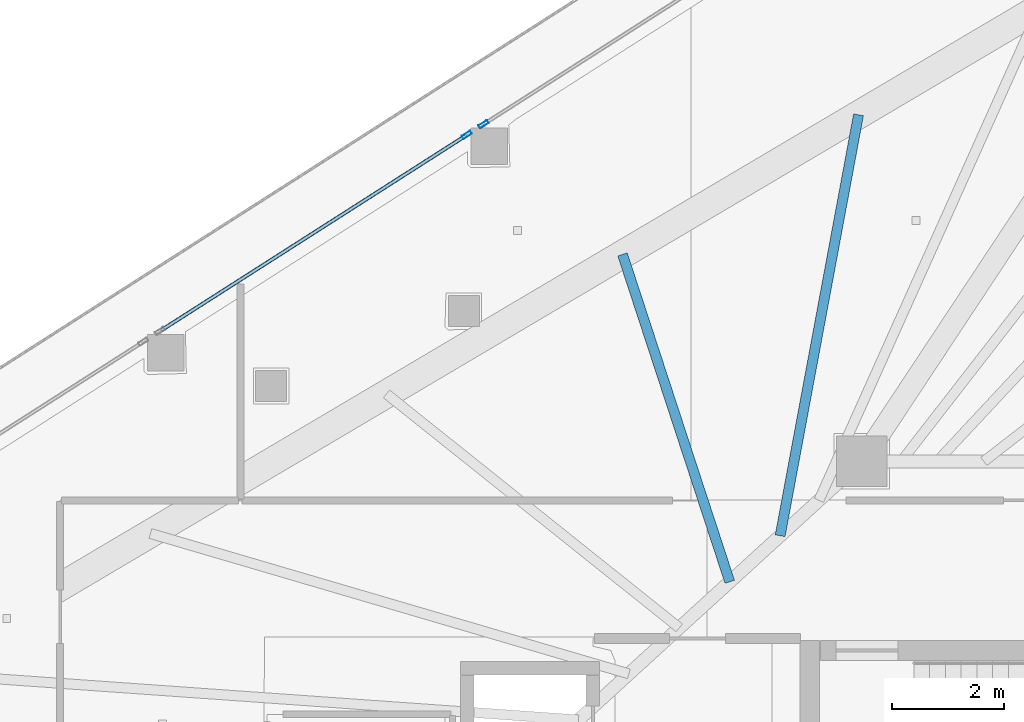
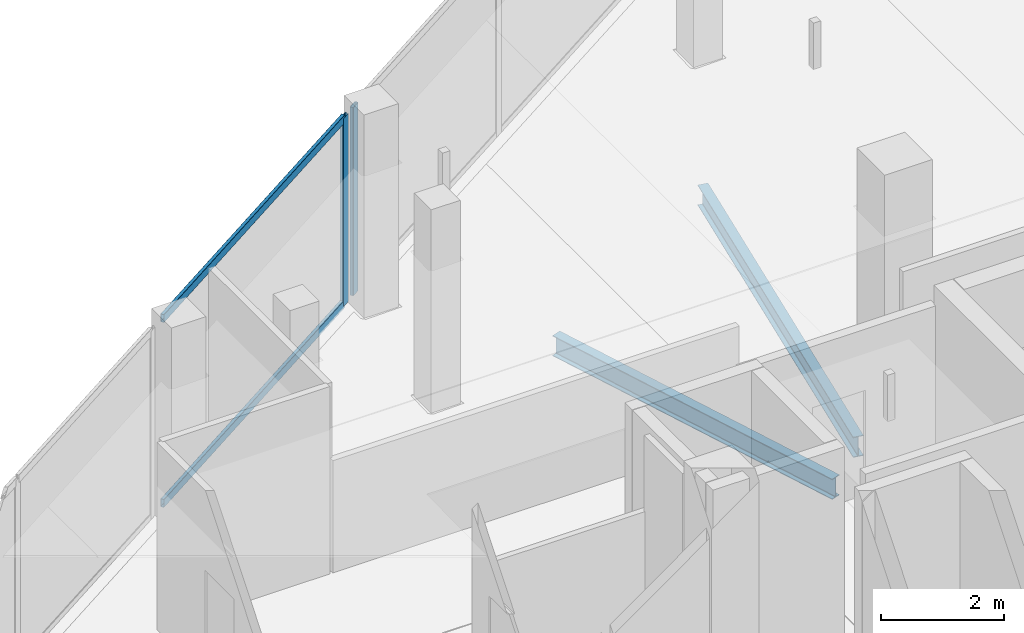
# One storey, part 18 of 34: 4 members, 2 beams, 2 elements without a shape of their own.
"""IFC4 building model written with IfcOpenShell, lengths in metres."""

from ifc_helpers import new_model, si_unit, direction, frame, origin, origin_2d, place, context, subcontext, project, spatial, hollow_rectangle, i_section, extrude, material, layer, layer_set, material_profile, profile_set, type_object, element, aggregate, save


model = new_model("IFC4")

# Units and contexts
model_context = context("Model", 3, precision=1e-05, world=origin(), true_north=direction((0.0, 1.0)))
body_context = subcontext(model_context, "Body", "Model", "MODEL_VIEW")
ifc_project = project(units=[si_unit("LENGTHUNIT", "METRE"), si_unit("AREAUNIT", "SQUARE_METRE"), si_unit("VOLUMEUNIT", "CUBIC_METRE"), si_unit("PLANEANGLEUNIT", "RADIAN"), si_unit("MASSUNIT", "GRAM", prefix="KILO")], contexts=[model_context])

# Site, building, storey
site_placement = place(None, origin())
site = spatial("IfcSite", under=ifc_project, at=site_placement, CompositionType="ELEMENT")
building_placement = place(site_placement, origin())
building = spatial("IfcBuilding", under=site, at=building_placement, Name="Qorvath Tower", CompositionType="ELEMENT")
storey_placement = place(building_placement, frame((0.0, 0.0, 245.550048828125)))
storey = spatial("IfcBuildingStorey", under=building, at=storey_placement, Name="L57", CompositionType="ELEMENT", Elevation=245.550048828125)

# Beams
ifc_material_1 = material(Name="Steel ASTM A992 Grade 50", Category="steel")
ifc_material_profile_1 = material_profile(ifc_material_1, i_section(OverallWidth=0.177978515625, OverallDepth=0.406005859375, WebThickness=0.0078125, FlangeThickness=0.0126953125, FilletRadius=0.010986328125, at=origin_2d()), Name="W16x40")
ifc_profile_set_1 = profile_set([ifc_material_profile_1], Name="Steel ASTM A992 Grade 50")
beam_type = type_object("IfcBeamType", Name="BM-FJ3", PredefinedType="JOIST", material=ifc_profile_set_1)
beam_1_placement = place(storey_placement, frame((-25.946044921875, 9.30810546875, -0.47314453125), z_axis=(-0.311228747452, 0.950335028692, 0.0), x_axis=(-0.950335028692, -0.311228747452, 0.0)))
element("IfcBeam", 1, at=beam_1_placement, inside=storey, type_object=beam_type, Name="Composite Floor Joist NW5 L57", PredefinedType="JOIST", context=body_context, shape_type="SweptSolid", body=[
    extrude(i_section(OverallWidth=0.177978515625, OverallDepth=0.406005859375, WebThickness=0.0078125, FlangeThickness=0.0126953125, FilletRadius=0.010986328125, at=origin_2d()), origin(), (0.0, 0.0, 1.0), 6.129638671875),
])
beam_2_placement = place(storey_placement, frame((-25.049072265625, 10.126953125, -0.47314453125), z_axis=(0.183026775988, 0.983107928598, 0.0), x_axis=(-0.983107928598, 0.183026775988, 0.0)))
element("IfcBeam", 2, at=beam_2_placement, inside=storey, type_object=beam_type, Name="Composite Floor Joist NW6 L57", PredefinedType="JOIST", context=body_context, shape_type="SweptSolid", body=[
    extrude(i_section(OverallWidth=0.177978515625, OverallDepth=0.406005859375, WebThickness=0.0078125, FlangeThickness=0.0126953125, FilletRadius=0.010986328125, at=origin_2d()), origin(), (0.0, 0.0, 1.0), 7.617919921875),
])

# Curtain wall, member
ifc_material_2 = material(Name="Anodised aluminium and triple low-E glass", Category="aluminium")
ifc_layer = layer(ifc_material_2, 0.179931640625)
ifc_layer_set = layer_set([ifc_layer], Name="CW-SYS-3")
curtain_wall_type = type_object("IfcCurtainWallType", Name="CW-SYS-3", PredefinedType="NOTDEFINED", material=ifc_layer_set)
curtain_wall_1_placement = place(storey_placement, origin())
curtain_wall_1 = element("IfcCurtainWall", 3, at=curtain_wall_1_placement, inside=storey, type_object=curtain_wall_type, Name="Curtain Wall CW-3 CW-T-L57-16.1", PredefinedType="NOTDEFINED")
ifc_material_3 = material(Name="Anodised aluminium 6063-T6", Category="aluminium")
ifc_material_profile_2 = material_profile(ifc_material_3, hollow_rectangle(XDim=0.06494140625, YDim=0.179931640625, WallThickness=0.00341796875, InnerFilletRadius=0.00341796875, OuterFilletRadius=0.007080078125, at=origin_2d()), Name="CWM 180x65")
ifc_profile_set_2 = profile_set([ifc_material_profile_2], Name="Anodised aluminium 6063-T6")
member_type_1 = type_object("IfcMemberType", Name="CWM-180", PredefinedType="MULLION", material=ifc_profile_set_2)
member_1_placement = place(storey_placement, frame((-30.326171875, 17.447265625, 0.0), z_axis=(0.0, 0.0, 1.0), x_axis=(0.538527235977, -0.842608103516, 0.0)))
member_1 = element("IfcMember", 4, at=member_1_placement, type_object=member_type_1, Name="CW-3 mullion 4", PredefinedType="MULLION", context=body_context, shape_type="SweptSolid", body=[
    extrude(hollow_rectangle(XDim=0.06494140625, YDim=0.179931640625, WallThickness=0.00341796875, InnerFilletRadius=0.00341796875, OuterFilletRadius=0.007080078125, at=origin_2d()), origin(), (0.0, 0.0, 1.0), 3.75),
])
aggregate(curtain_wall_1, [member_1])

# Curtain wall, members
curtain_wall_2_placement = place(storey_placement, origin())
curtain_wall_2 = element("IfcCurtainWall", 5, at=curtain_wall_2_placement, inside=storey, type_object=curtain_wall_type, Name="Curtain Wall CW-3 CW-T-L57-16.2", PredefinedType="NOTDEFINED")
member_2_placement = place(storey_placement, frame((-30.622314453125, 17.257568359375, 0.0), z_axis=(0.0, 0.0, 1.0), x_axis=(0.538519791825, -0.842612861172, 0.0)))
member_2 = element("IfcMember", 6, at=member_2_placement, type_object=member_type_1, Name="CW-3 mullion 1", PredefinedType="MULLION", context=body_context, shape_type="SweptSolid", body=[
    extrude(hollow_rectangle(XDim=0.06494140625, YDim=0.179931640625, WallThickness=0.00341796875, InnerFilletRadius=0.00341796875, OuterFilletRadius=0.007080078125, at=origin_2d()), origin(), (0.0, 0.0, 1.0), 3.75),
])
ifc_material_4 = material(Name="Anodised aluminium 6063-T6", Category="aluminium")
ifc_material_profile_3 = material_profile(ifc_material_4, hollow_rectangle(XDim=0.06494140625, YDim=0.159912109375, WallThickness=0.00341796875, InnerFilletRadius=0.00341796875, OuterFilletRadius=0.007080078125, at=origin_2d()), Name="CWT 160x65")
ifc_profile_set_3 = profile_set([ifc_material_profile_3], Name="Anodised aluminium 6063-T6")
member_type_2 = type_object("IfcMemberType", Name="CWT-160", PredefinedType="USERDEFINED", material=ifc_profile_set_3)
member_3_placement = place(storey_placement, frame((-30.649658203125, 17.239990234375, 0.032470703125), z_axis=(-0.842622379805, -0.53850489789, 0.0), x_axis=(0.53850489789, -0.842622379805, 0.0)))
member_3 = element("IfcMember", 7, at=member_3_placement, type_object=member_type_2, Name="CW-3 transom 1.1", ObjectType="TRANSOM", PredefinedType="USERDEFINED", context=body_context, shape_type="SweptSolid", body=[
    extrude(hollow_rectangle(XDim=0.06494140625, YDim=0.159912109375, WallThickness=0.00341796875, InnerFilletRadius=0.00341796875, OuterFilletRadius=0.007080078125, at=origin_2d()), origin(), (0.0, 0.0, 1.0), 6.414306640625),
])
member_4_placement = place(storey_placement, frame((-30.649658203125, 17.239990234375, 3.717529296875), z_axis=(-0.842622379805, -0.53850489789, 0.0), x_axis=(0.53850489789, -0.842622379805, 0.0)))
member_4 = element("IfcMember", 8, at=member_4_placement, type_object=member_type_2, Name="CW-3 transom 1.2", ObjectType="TRANSOM", PredefinedType="USERDEFINED", context=body_context, shape_type="SweptSolid", body=[
    extrude(hollow_rectangle(XDim=0.06494140625, YDim=0.159912109375, WallThickness=0.00341796875, InnerFilletRadius=0.00341796875, OuterFilletRadius=0.007080078125, at=origin_2d()), origin(), (0.0, 0.0, 1.0), 6.414306640625),
])
aggregate(curtain_wall_2, [member_2, member_3, member_4])

save(model, "model.ifc")
